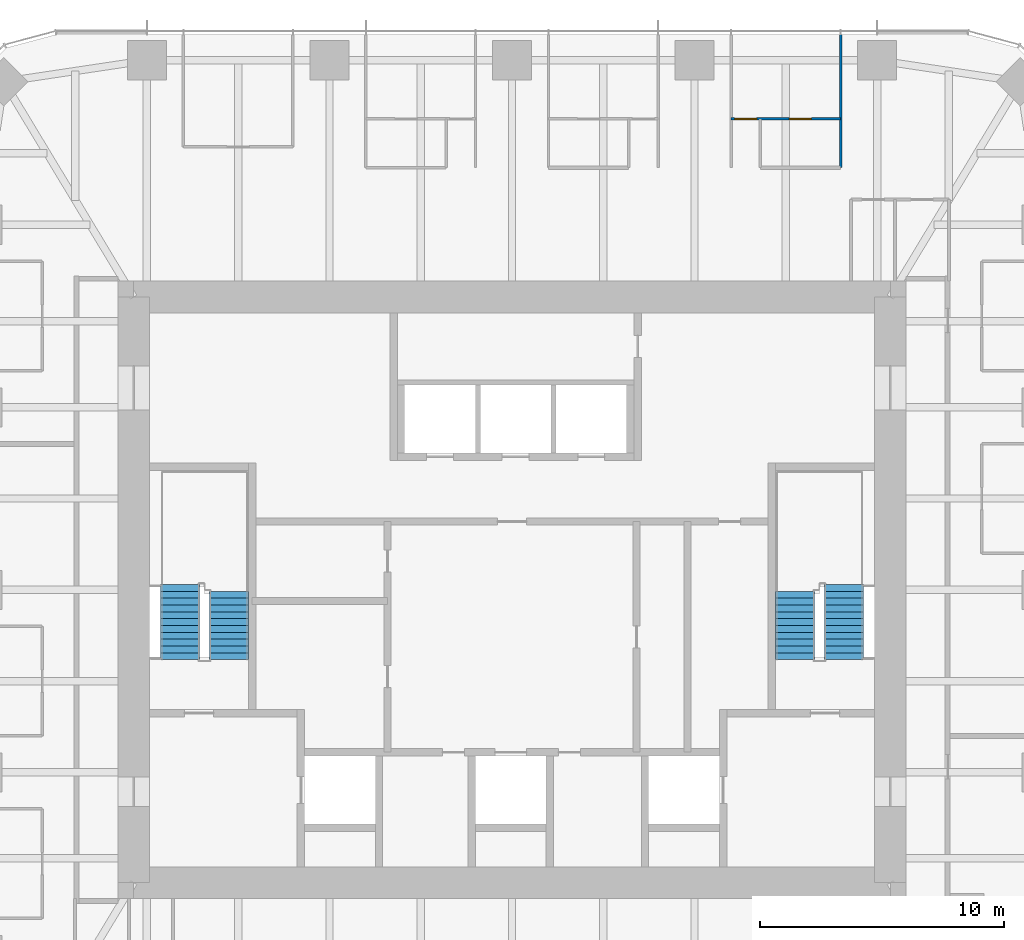
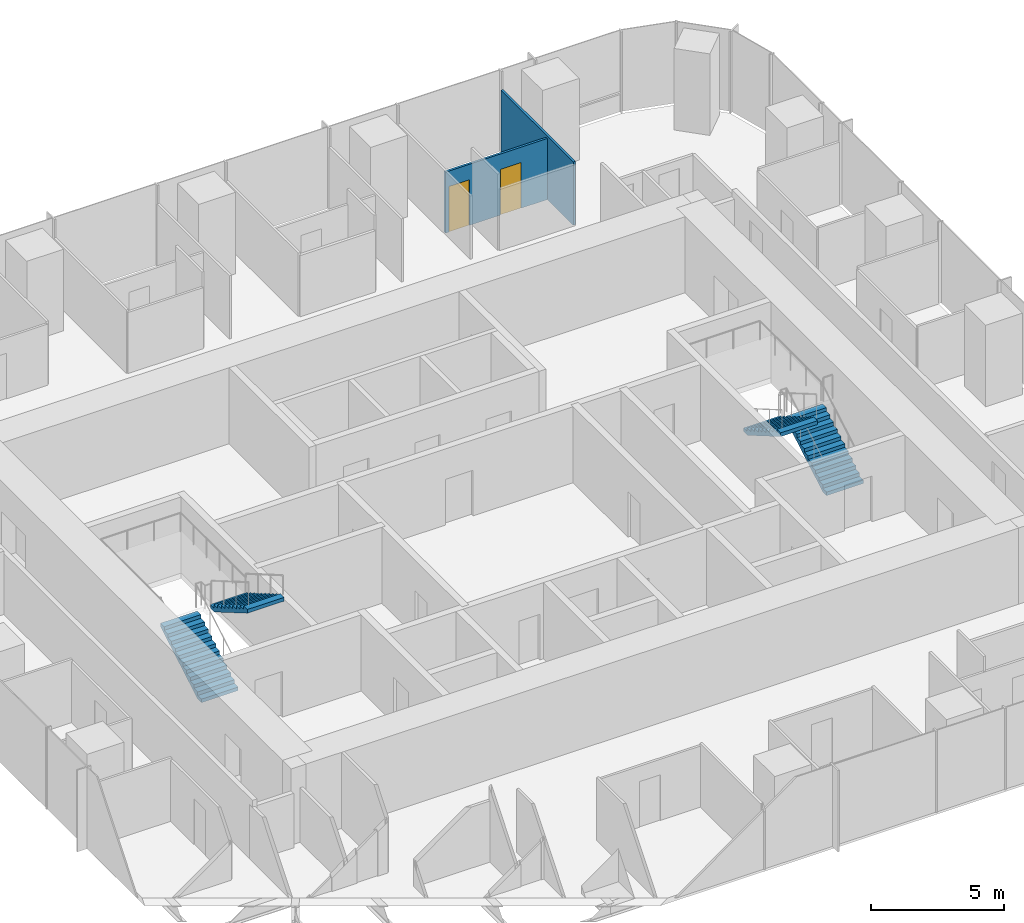
# One storey, part 11 of 12: 4 stair flights, 2 doors, 2 walls, 2 openings, 2 elements without a shape of their own.
"""IFC4 building model written with IfcOpenShell, lengths in metres."""

from ifc_helpers import new_model, si_unit, direction, frame, frame_2d, origin, place, context, subcontext, project, spatial, polyline, rectangle, outline, extrude, material, layer, layer_set, type_object, element, fill, aggregate, save


model = new_model("IFC4")

# Units and contexts
model_context = context("Model", 3, precision=1e-05, world=origin(), true_north=direction((0.0, 1.0)))
body_context = subcontext(model_context, "Body", "Model", "MODEL_VIEW")
ifc_project = project(units=[si_unit("LENGTHUNIT", "METRE"), si_unit("AREAUNIT", "SQUARE_METRE"), si_unit("VOLUMEUNIT", "CUBIC_METRE"), si_unit("PLANEANGLEUNIT", "RADIAN"), si_unit("MASSUNIT", "GRAM", prefix="KILO")], contexts=[model_context])

# Site, building, storey
site_placement = place(None, origin())
site = spatial("IfcSite", under=ifc_project, at=site_placement, CompositionType="ELEMENT")
building_placement = place(site_placement, origin())
building = spatial("IfcBuilding", under=site, at=building_placement, Name="Khuree Lantern Residences", CompositionType="ELEMENT")
storey_placement = place(building_placement, frame((0.0, 0.0, 345.75)))
storey = spatial("IfcBuildingStorey", under=building, at=storey_placement, Name="L87", CompositionType="ELEMENT", Elevation=345.75)

# Wall
ifc_material_1 = material(Name="Gypsum board on steel studs", Category="steel")
ifc_layer = layer(ifc_material_1, 0.10009765625)
ifc_layer_set = layer_set([ifc_layer], Name="PARTITION PT100")
wall_type = type_object("IfcWallType", Name="PARTITION PT100", PredefinedType="PARTITIONING", material=ifc_layer_set)
wall_1_placement = place(storey_placement, frame((13.464111328125, 17.29638671875, 0.0), z_axis=(0.0, 0.0, 1.0), x_axis=(0.0, 1.0, 0.0)))
element("IfcWall", 1, at=wall_1_placement, inside=storey, type_object=wall_type, Name="L87 PARTITION 01", PredefinedType="PARTITIONING", context=body_context, shape_type="SweptSolid", body=[
    extrude(rectangle(XDim=5.45361328125, YDim=0.10009765625, at=frame_2d((2.726806640625, 0.0))), origin(), (0.0, 0.0, 1.0), 2.909912109375),
])

# Wall, openings, doors
wall_2_placement = place(storey_placement, frame((13.464111328125, 19.29638671875, 0.0), z_axis=(0.0, 0.0, 1.0), x_axis=(-1.0, 0.0, 0.0)))
wall_2 = element("IfcWall", 2, at=wall_2_placement, inside=storey, type_object=wall_type, Name="L87 PARTITION 01", PredefinedType="PARTITIONING", context=body_context, shape_type="SweptSolid", body=[
    extrude(rectangle(XDim=4.488037109375, YDim=0.10009765625, at=frame_2d((2.244140625, 0.0))), origin(), (0.0, 0.0, 1.0), 2.81005859375),
])
opening_1_placement = place(wall_2_placement, frame((3.43798828125, 0.0, 0.0)))
opening_1 = element("IfcOpeningElement", 3, at=opening_1_placement, cuts=wall_2, Name="Opening 87-023", PredefinedType="OPENING", context=body_context, shape_type="SweptSolid", body=[
    extrude(rectangle(XDim=0.89990234375, YDim=2.10009765625, at=frame_2d((0.449951171875, 1.050048828125))), frame((0.0, 0.06005859375, 0.0), z_axis=(0.0, -1.0, 0.0), x_axis=(1.0, 0.0, 0.0)), (0.0, 0.0, 1.0), 0.1201171875),
])
opening_2_placement = place(wall_2_placement, frame((1.194091796875, 0.0, 0.0)))
opening_2 = element("IfcOpeningElement", 4, at=opening_2_placement, cuts=wall_2, Name="Opening 87-024", PredefinedType="OPENING", context=body_context, shape_type="SweptSolid", body=[
    extrude(rectangle(XDim=0.89990234375, YDim=2.10009765625, at=frame_2d((0.449951171875, 1.050048828125))), frame((0.0, 0.06005859375, 0.0), z_axis=(0.0, -1.0, 0.0), x_axis=(1.0, 0.0, 0.0)), (0.0, 0.0, 1.0), 0.1201171875),
])
ifc_material_2 = material(Name="Timber door leaf in hardwood frame", Category="wood")
door_type_1 = type_object("IfcDoorType", Name="BATHROOM DOOR 900X2100", OperationType="SINGLE_SWING_LEFT", PredefinedType="DOOR", material=ifc_material_2)
door_1_placement = place(opening_2_placement, origin())
door_1 = element("IfcDoor", 5, at=door_1_placement, inside=storey, type_object=door_type_1, Name="Bathroom door 87-024", OperationType="SINGLE_SWING_LEFT", OverallHeight=2.10009765625, OverallWidth=0.89990234375, PredefinedType="DOOR", context=body_context, shape_type="SweptSolid", body=[
    extrude(rectangle(XDim=0.89990234375, YDim=2.10009765625, at=frame_2d((0.449951171875, 1.050048828125))), frame((0.0, 0.02490234375, 0.0), z_axis=(0.0, -1.0, 0.0), x_axis=(1.0, 0.0, 0.0)), (0.0, 0.0, 1.0), 0.050048828125),
])
fill(opening_2, door_1)
door_type_2 = type_object("IfcDoorType", Name="BEDROOM DOOR 900X2100", OperationType="SINGLE_SWING_LEFT", PredefinedType="DOOR", material=ifc_material_2)
door_2_placement = place(opening_1_placement, origin())
door_2 = element("IfcDoor", 6, at=door_2_placement, inside=storey, type_object=door_type_2, Name="Bedroom door 87-023", OperationType="SINGLE_SWING_LEFT", OverallHeight=2.10009765625, OverallWidth=0.89990234375, PredefinedType="DOOR", context=body_context, shape_type="SweptSolid", body=[
    extrude(rectangle(XDim=0.89990234375, YDim=2.10009765625, at=frame_2d((0.449951171875, 1.050048828125))), frame((0.0, 0.02490234375, 0.0), z_axis=(0.0, -1.0, 0.0), x_axis=(1.0, 0.0, 0.0)), (0.0, 0.0, 1.0), 0.050048828125),
])
fill(opening_1, door_2)

# Stair, stair flights
ifc_material_3 = material(Name="Concrete C40/50", Category="concrete")
stair_type = type_object("IfcStairType", Name="STAIR ST1 HALF TURN 3600", PredefinedType="HALF_TURN_STAIR", material=ifc_material_3)
stair_1_placement = place(storey_placement, origin())
stair_1 = element("IfcStair", 7, at=stair_1_placement, inside=storey, type_object=stair_type, Name="Stair ST1", PredefinedType="HALF_TURN_STAIR")
stair_flight_type = type_object("IfcStairFlightType", Name="STAIR FLIGHT SF1 1600", PredefinedType="STRAIGHT", material=ifc_material_3)
stair_flight_1_placement = place(storey_placement, frame((-13.60009765625, -2.860107421875, 0.0), z_axis=(0.0, 0.0, 1.0), x_axis=(0.0, 1.0, 0.0)))
stair_flight_1 = element("IfcStairFlight", 8, at=stair_flight_1_placement, type_object=stair_flight_type, Name="ST1 flight 1", NumberOfRisers=12, NumberOfTreads=11, PredefinedType="STRAIGHT", RiserHeight=0.163043478, TreadLength=0.28, context=body_context, shape_type="SweptSolid", body=[
    extrude(outline(polyline([(0.0, 0.0), (0.0, 0.1630859375), (0.280029296875, 0.1630859375), (0.280029296875, 0.326171875), (0.56005859375, 0.326171875), (0.56005859375, 0.489013671875), (0.840087890625, 0.489013671875), (0.840087890625, 0.652099609375), (1.1201171875, 0.652099609375), (1.1201171875, 0.815185546875), (1.39990234375, 0.815185546875), (1.39990234375, 0.978271484375), (1.679931640625, 0.978271484375), (1.679931640625, 1.141357421875), (1.9599609375, 1.141357421875), (1.9599609375, 1.304443359375), (2.239990234375, 1.304443359375), (2.239990234375, 1.46728515625), (2.52001953125, 1.46728515625), (2.52001953125, 1.63037109375), (2.800048828125, 1.63037109375), (2.800048828125, 1.79345703125), (3.080078125, 1.79345703125), (3.080078125, 1.95654296875), (3.080078125, 1.6201171875), (0.2978515625, 0.0), (0.0, 0.0)])), frame((0.0, 0.800048828125, 0.0), z_axis=(0.0, -1.0, 0.0), x_axis=(1.0, 0.0, 0.0)), (0.0, 0.0, 1.0), 1.60009765625),
])
stair_flight_2_placement = place(storey_placement, frame((-11.60009765625, -0.06005859375, 1.95654296875), z_axis=(0.0, 0.0, 1.0), x_axis=(0.0, -1.0, 0.0)))
stair_flight_2 = element("IfcStairFlight", 9, at=stair_flight_2_placement, type_object=stair_flight_type, Name="ST1 flight 2", NumberOfRisers=11, NumberOfTreads=10, PredefinedType="STRAIGHT", RiserHeight=0.163043478, TreadLength=0.28, context=body_context, shape_type="SweptSolid", body=[
    extrude(outline(polyline([(0.0, 0.0), (0.0, 0.1630859375), (0.280029296875, 0.1630859375), (0.280029296875, 0.326171875), (0.56005859375, 0.326171875), (0.56005859375, 0.489013671875), (0.840087890625, 0.489013671875), (0.840087890625, 0.652099609375), (1.1201171875, 0.652099609375), (1.1201171875, 0.815185546875), (1.39990234375, 0.815185546875), (1.39990234375, 0.978271484375), (1.679931640625, 0.978271484375), (1.679931640625, 1.141357421875), (1.9599609375, 1.141357421875), (1.9599609375, 1.304443359375), (2.239990234375, 1.304443359375), (2.239990234375, 1.46728515625), (2.52001953125, 1.46728515625), (2.52001953125, 1.63037109375), (2.800048828125, 1.63037109375), (2.800048828125, 1.79345703125), (2.800048828125, 1.45703125), (0.2978515625, 0.0), (0.0, 0.0)])), frame((0.0, 0.800048828125, 0.0), z_axis=(0.0, -1.0, 0.0), x_axis=(1.0, 0.0, 0.0)), (0.0, 0.0, 1.0), 1.60009765625),
])
aggregate(stair_1, [stair_flight_1, stair_flight_2])

stair_2_placement = place(storey_placement, origin())
stair_2 = element("IfcStair", 10, at=stair_2_placement, inside=storey, type_object=stair_type, Name="Stair ST2", PredefinedType="HALF_TURN_STAIR")
stair_flight_3_placement = place(storey_placement, frame((13.60009765625, -2.860107421875, 0.0), z_axis=(0.0, 0.0, 1.0), x_axis=(0.0, 1.0, 0.0)))
stair_flight_3 = element("IfcStairFlight", 11, at=stair_flight_3_placement, type_object=stair_flight_type, Name="ST2 flight 1", NumberOfRisers=12, NumberOfTreads=11, PredefinedType="STRAIGHT", RiserHeight=0.163043478, TreadLength=0.28, context=body_context, shape_type="SweptSolid", body=[
    extrude(outline(polyline([(0.0, 0.0), (0.0, 0.1630859375), (0.280029296875, 0.1630859375), (0.280029296875, 0.326171875), (0.56005859375, 0.326171875), (0.56005859375, 0.489013671875), (0.840087890625, 0.489013671875), (0.840087890625, 0.652099609375), (1.1201171875, 0.652099609375), (1.1201171875, 0.815185546875), (1.39990234375, 0.815185546875), (1.39990234375, 0.978271484375), (1.679931640625, 0.978271484375), (1.679931640625, 1.141357421875), (1.9599609375, 1.141357421875), (1.9599609375, 1.304443359375), (2.239990234375, 1.304443359375), (2.239990234375, 1.46728515625), (2.52001953125, 1.46728515625), (2.52001953125, 1.63037109375), (2.800048828125, 1.63037109375), (2.800048828125, 1.79345703125), (3.080078125, 1.79345703125), (3.080078125, 1.95654296875), (3.080078125, 1.6201171875), (0.2978515625, 0.0), (0.0, 0.0)])), frame((0.0, 0.800048828125, 0.0), z_axis=(0.0, -1.0, 0.0), x_axis=(1.0, 0.0, 0.0)), (0.0, 0.0, 1.0), 1.60009765625),
])
stair_flight_4_placement = place(storey_placement, frame((11.60009765625, -0.06005859375, 1.95654296875), z_axis=(0.0, 0.0, 1.0), x_axis=(0.0, -1.0, 0.0)))
stair_flight_4 = element("IfcStairFlight", 12, at=stair_flight_4_placement, type_object=stair_flight_type, Name="ST2 flight 2", NumberOfRisers=11, NumberOfTreads=10, PredefinedType="STRAIGHT", RiserHeight=0.163043478, TreadLength=0.28, context=body_context, shape_type="SweptSolid", body=[
    extrude(outline(polyline([(0.0, 0.0), (0.0, 0.1630859375), (0.280029296875, 0.1630859375), (0.280029296875, 0.326171875), (0.56005859375, 0.326171875), (0.56005859375, 0.489013671875), (0.840087890625, 0.489013671875), (0.840087890625, 0.652099609375), (1.1201171875, 0.652099609375), (1.1201171875, 0.815185546875), (1.39990234375, 0.815185546875), (1.39990234375, 0.978271484375), (1.679931640625, 0.978271484375), (1.679931640625, 1.141357421875), (1.9599609375, 1.141357421875), (1.9599609375, 1.304443359375), (2.239990234375, 1.304443359375), (2.239990234375, 1.46728515625), (2.52001953125, 1.46728515625), (2.52001953125, 1.63037109375), (2.800048828125, 1.63037109375), (2.800048828125, 1.79345703125), (2.800048828125, 1.45703125), (0.2978515625, 0.0), (0.0, 0.0)])), frame((0.0, 0.800048828125, 0.0), z_axis=(0.0, -1.0, 0.0), x_axis=(1.0, 0.0, 0.0)), (0.0, 0.0, 1.0), 1.60009765625),
])
aggregate(stair_2, [stair_flight_3, stair_flight_4])

save(model, "model.ifc")
